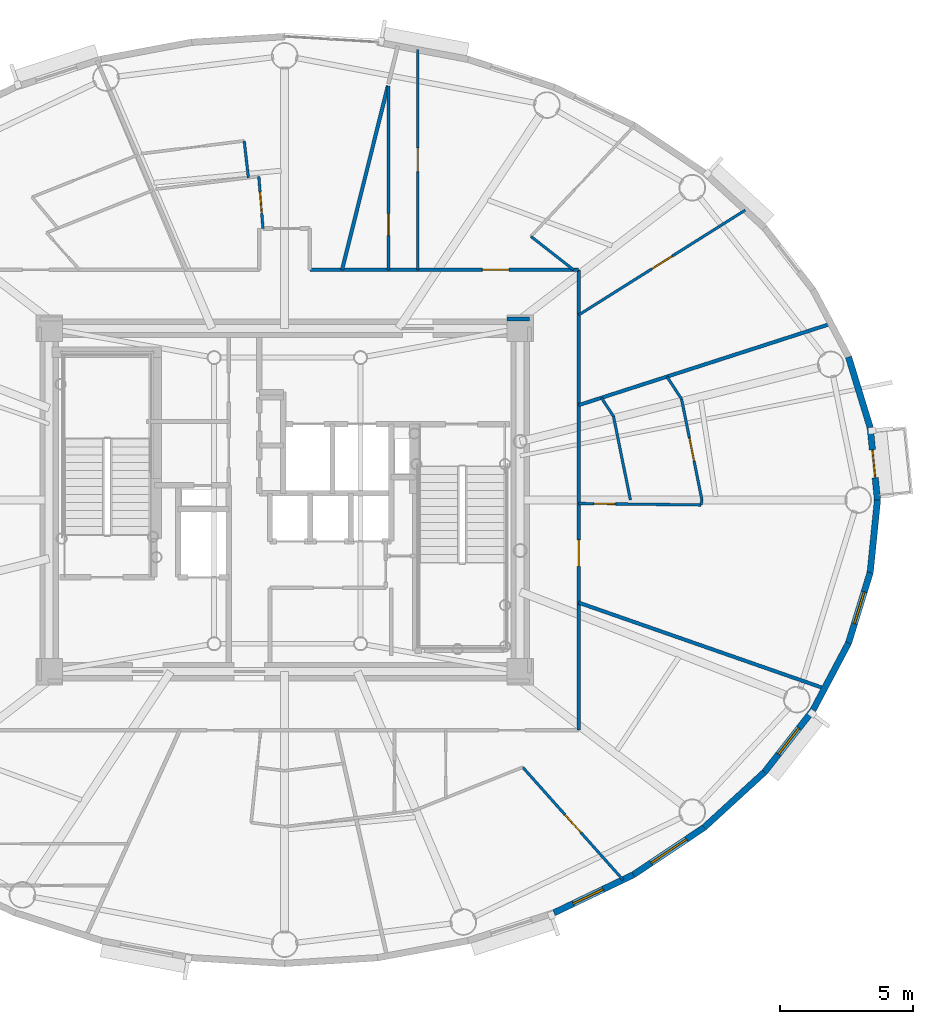
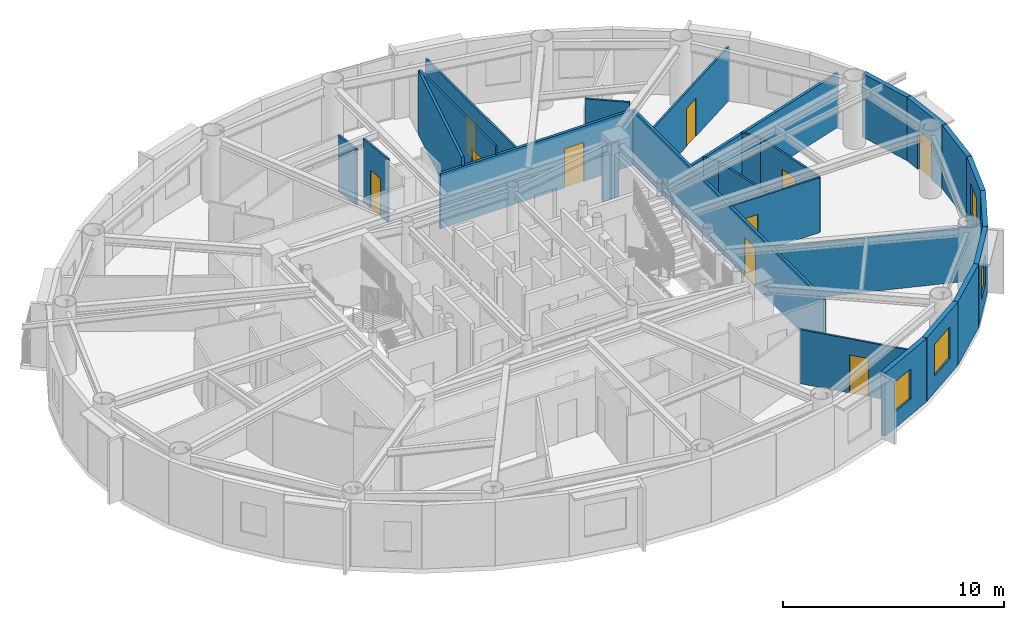
# One storey, part 9 of 17: 28 walls, 10 doors, 4 windows, 14 openings.
"""IFC4 building model written with IfcOpenShell, lengths in metres."""

from ifc_helpers import new_model, si_unit, direction, frame, frame_2d, origin, origin_2d, place, context, subcontext, project, spatial, rectangle, extrude, source, transform, mapped, material, layer, layer_set, type_object, element, fill, save


model = new_model("IFC4")

# Units and contexts
model_context = context("Model", 3, precision=1e-05, world=origin(), true_north=direction((0.0, 1.0)))
body_context = subcontext(model_context, "Body", "Model", "MODEL_VIEW")
ifc_project = project(units=[si_unit("LENGTHUNIT", "METRE"), si_unit("AREAUNIT", "SQUARE_METRE"), si_unit("VOLUMEUNIT", "CUBIC_METRE"), si_unit("PLANEANGLEUNIT", "RADIAN"), si_unit("MASSUNIT", "GRAM", prefix="KILO")], contexts=[model_context])

# Site, building, storey
site_placement = place(None, origin())
site = spatial("IfcSite", under=ifc_project, at=site_placement, CompositionType="ELEMENT")
building_placement = place(site_placement, origin())
building = spatial("IfcBuilding", under=site, at=building_placement, Name="Linh Dai School and Residence Tower", CompositionType="ELEMENT")
storey_placement = place(building_placement, frame((0.0, 0.0, 299.25)))
storey = spatial("IfcBuildingStorey", under=building, at=storey_placement, Name="L74", CompositionType="ELEMENT", Elevation=299.25)

# Wall, opening, door
ifc_material_1 = material(Name="Precast Concrete B45 (C35/45)", Category="concrete")
ifc_layer_1 = layer(ifc_material_1, 0.239990234375)
ifc_layer_set_1 = layer_set([ifc_layer_1], Name="Precast Concrete B45 (C35/45)")
wall_type_1 = type_object("IfcWallType", Name="EW-TC-240", PredefinedType="SOLIDWALL", material=ifc_layer_set_1)
wall_1_placement = place(storey_placement, frame((58.001708984375, 29.718994140625, 0.0), z_axis=(0.0, 0.0, 1.0), x_axis=(0.099972526841, -0.99499019788, 0.0)))
wall_1 = element("IfcWall", 1, at=wall_1_placement, inside=storey, type_object=wall_type_1, Name="L74 Terracotta Exterior Wall 01", PredefinedType="SOLIDWALL", context=body_context, shape_type="SweptSolid", body=[
    extrude(rectangle(XDim=2.732666015625, YDim=0.239990234375, at=frame_2d((1.3662109375, 0.0))), origin(), (0.0, 0.0, 1.0), 3.5),
])
opening_1_placement = place(wall_1_placement, frame((0.84130859375, 0.0, 0.0)))
opening_1 = element("IfcOpeningElement", 2, at=opening_1_placement, cuts=wall_1, Name="Opening BD1", PredefinedType="OPENING", context=body_context, shape_type="SweptSolid", body=[
    extrude(rectangle(XDim=1.050048828125, YDim=2.14990234375, at=origin_2d()), frame((0.52490234375, 0.1298828125, 1.074951171875), z_axis=(0.0, -1.0, 0.0), x_axis=(1.0, 0.0, 0.0)), (0.0, 0.0, 1.0), 0.260009765625),
])
ifc_material_2 = material(Name="Double-Glazed Balcony Door", Category="glass")
door_type_1 = type_object("IfcDoorType", Name="DR-BALC-1050x2150", OperationType="NOTDEFINED", PredefinedType="DOOR", material=ifc_material_2)
shared_shape_1 = source(origin(), body_context, "Body", "SweptSolid", [
    extrude(rectangle(XDim=1.050048828125, YDim=2.14990234375, at=origin_2d()), frame((0.52490234375, 0.02490234375, 1.074951171875), z_axis=(0.0, -1.0, 0.0), x_axis=(1.0, 0.0, 0.0)), (0.0, 0.0, 1.0), 0.050048828125),
])
door_1_placement = place(opening_1_placement, origin())
door_1 = element("IfcDoor", 3, at=door_1_placement, inside=storey, type_object=door_type_1, Name="L74 Glazed Balcony Door 01", OperationType="SINGLE_SWING_LEFT", OverallHeight=2.14990234375, OverallWidth=1.050048828125, PredefinedType="DOOR", context=body_context, shape_type="MappedRepresentation", body=[
    mapped(shared_shape_1, transform((0.0, 0.0, 0.0), x_axis=(1.0, 0.0, 0.0), y_axis=(0.0, 1.0, 0.0), z_axis=(0.0, 0.0, 1.0), scale=1.0)),
])
fill(opening_1, door_1)

# Wall
wall_2_placement = place(storey_placement, frame((57.188232421875, 32.372314453125, 0.0), z_axis=(0.0, 0.0, 1.0), x_axis=(0.2931213403, -0.956075248012, 0.0)))
element("IfcWall", 4, at=wall_2_placement, inside=storey, type_object=wall_type_1, Name="L74 Terracotta Exterior Wall 02", PredefinedType="SOLIDWALL", context=body_context, shape_type="SweptSolid", body=[
    extrude(rectangle(XDim=2.775146484375, YDim=0.239990234375, at=frame_2d((1.3876953125, 0.0))), origin(), (0.0, 0.0, 1.0), 3.5),
])

# Wall, opening, window
wall_3_placement = place(storey_placement, frame((49.1044921875, 12.91845703125, 0.0), z_axis=(0.0, 0.0, 1.0), x_axis=(-0.901573741254, -0.43262546051, 0.0)))
wall_3 = element("IfcWall", 5, at=wall_3_placement, inside=storey, type_object=wall_type_1, Name="L74 Terracotta Exterior Wall 34", PredefinedType="SOLIDWALL", context=body_context, shape_type="SweptSolid", body=[
    extrude(rectangle(XDim=3.306884765625, YDim=0.239990234375, at=frame_2d((1.6533203125, 0.0))), origin(), (0.0, 0.0, 1.0), 3.5),
])
opening_2_placement = place(wall_3_placement, frame((1.260009765625, 0.0, 0.89990234375)))
opening_2 = element("IfcOpeningElement", 6, at=opening_2_placement, cuts=wall_3, Name="Opening W3", PredefinedType="OPENING", context=body_context, shape_type="SweptSolid", body=[
    extrude(rectangle(XDim=1.25, YDim=1.64990234375, at=origin_2d()), frame((0.625, 0.1298828125, 0.824951171875), z_axis=(0.0, -1.0, 0.0), x_axis=(1.0, 0.0, 0.0)), (0.0, 0.0, 1.0), 0.260009765625),
])
ifc_material_3 = material(Name="Double Low-E Insulated Glazing", Category="glass")
window_type_1 = type_object("IfcWindowType", Name="WN-RES-1250x1650", PartitioningType="SINGLE_PANEL", PredefinedType="WINDOW", material=ifc_material_3)
shared_shape_2 = source(origin(), body_context, "Body", "SweptSolid", [
    extrude(rectangle(XDim=1.25, YDim=1.64990234375, at=origin_2d()), frame((0.625, 0.030029296875, 0.824951171875), z_axis=(0.0, -1.0, 0.0), x_axis=(1.0, 0.0, 0.0)), (0.0, 0.0, 1.0), 0.06005859375),
])
window_1_placement = place(opening_2_placement, origin())
window_1 = element("IfcWindow", 7, at=window_1_placement, inside=storey, type_object=window_type_1, Name="L74 Exterior Window 34.1", OverallHeight=1.64990234375, OverallWidth=1.25, PartitioningType="SINGLE_PANEL", PredefinedType="WINDOW", context=body_context, shape_type="MappedRepresentation", body=[
    mapped(shared_shape_2, transform((0.0, 0.0, 0.0), x_axis=(1.0, 0.0, 0.0), y_axis=(0.0, 1.0, 0.0), z_axis=(0.0, 0.0, 1.0), scale=1.0)),
])
fill(opening_2, window_1)

wall_4_placement = place(storey_placement, frame((51.76220703125, 14.69580078125, 0.0), z_axis=(0.0, 0.0, 1.0), x_axis=(-0.831250592635, -0.55589787933, 0.0)))
wall_4 = element("IfcWall", 8, at=wall_4_placement, inside=storey, type_object=wall_type_1, Name="L74 Terracotta Exterior Wall 35", PredefinedType="SOLIDWALL", context=body_context, shape_type="SweptSolid", body=[
    extrude(rectangle(XDim=3.197265625, YDim=0.239990234375, at=frame_2d((1.5986328125, 0.0))), origin(), (0.0, 0.0, 1.0), 3.5),
])
opening_3_placement = place(wall_4_placement, frame((0.798583984375, 0.0, 0.89990234375)))
opening_3 = element("IfcOpeningElement", 9, at=opening_3_placement, cuts=wall_4, Name="Opening W2", PredefinedType="OPENING", context=body_context, shape_type="SweptSolid", body=[
    extrude(rectangle(XDim=1.60009765625, YDim=1.75, at=origin_2d()), frame((0.800048828125, 0.1298828125, 0.875), z_axis=(0.0, -1.0, 0.0), x_axis=(1.0, 0.0, 0.0)), (0.0, 0.0, 1.0), 0.260009765625),
])
window_type_2 = type_object("IfcWindowType", Name="WN-RES-1600x1750", PartitioningType="DOUBLE_PANEL_VERTICAL", PredefinedType="WINDOW", material=ifc_material_3)
shared_shape_3 = source(origin(), body_context, "Body", "SweptSolid", [
    extrude(rectangle(XDim=1.60009765625, YDim=1.75, at=origin_2d()), frame((0.800048828125, 0.030029296875, 0.875), z_axis=(0.0, -1.0, 0.0), x_axis=(1.0, 0.0, 0.0)), (0.0, 0.0, 1.0), 0.06005859375),
])
window_2_placement = place(opening_3_placement, origin())
window_2 = element("IfcWindow", 10, at=window_2_placement, inside=storey, type_object=window_type_2, Name="L74 Exterior Window 35.1", OverallHeight=1.75, OverallWidth=1.60009765625, PartitioningType="DOUBLE_PANEL_VERTICAL", PredefinedType="WINDOW", context=body_context, shape_type="MappedRepresentation", body=[
    mapped(shared_shape_3, transform((0.0, 0.0, 0.0), x_axis=(1.0, 0.0, 0.0), y_axis=(0.0, 1.0, 0.0), z_axis=(0.0, 0.0, 1.0), scale=1.0)),
])
fill(opening_3, window_2)

# Wall
wall_5_placement = place(storey_placement, frame((54.0302734375, 16.775390625, 0.0), z_axis=(0.0, 0.0, 1.0), x_axis=(-0.737068506972, -0.675818034703, 0.0)))
element("IfcWall", 11, at=wall_5_placement, inside=storey, type_object=wall_type_1, Name="L74 Terracotta Exterior Wall 36", PredefinedType="SOLIDWALL", context=body_context, shape_type="SweptSolid", body=[
    extrude(rectangle(XDim=3.0771484375, YDim=0.239990234375, at=frame_2d((1.53857421875, 0.0))), origin(), (0.0, 0.0, 1.0), 3.5),
])

# Wall, opening, window
wall_6_placement = place(storey_placement, frame((55.853759765625, 19.105224609375, 0.0), z_axis=(0.0, 0.0, 1.0), x_axis=(-0.616337186556, -0.787482363275, 0.0)))
wall_6 = element("IfcWall", 12, at=wall_6_placement, inside=storey, type_object=wall_type_1, Name="L74 Terracotta Exterior Wall 37", PredefinedType="SOLIDWALL", context=body_context, shape_type="SweptSolid", body=[
    extrude(rectangle(XDim=2.95849609375, YDim=0.239990234375, at=frame_2d((1.479248046875, 0.0))), origin(), (0.0, 0.0, 1.0), 3.5),
])
opening_4_placement = place(wall_6_placement, frame((0.8544921875, 0.0, 0.89990234375)))
opening_4 = element("IfcOpeningElement", 13, at=opening_4_placement, cuts=wall_6, Name="Opening W3", PredefinedType="OPENING", context=body_context, shape_type="SweptSolid", body=[
    extrude(rectangle(XDim=1.25, YDim=1.64990234375, at=origin_2d()), frame((0.625, 0.1298828125, 0.824951171875), z_axis=(0.0, -1.0, 0.0), x_axis=(1.0, 0.0, 0.0)), (0.0, 0.0, 1.0), 0.260009765625),
])
window_3_placement = place(opening_4_placement, origin())
window_3 = element("IfcWindow", 14, at=window_3_placement, inside=storey, type_object=window_type_1, Name="L74 Exterior Window 37.1", OverallHeight=1.64990234375, OverallWidth=1.25, PartitioningType="SINGLE_PANEL", PredefinedType="WINDOW", context=body_context, shape_type="MappedRepresentation", body=[
    mapped(shared_shape_2, transform((0.0, 0.0, 0.0), x_axis=(1.0, 0.0, 0.0), y_axis=(0.0, 1.0, 0.0), z_axis=(0.0, 0.0, 1.0), scale=1.0)),
])
fill(opening_4, window_3)

# Wall
wall_7_placement = place(storey_placement, frame((57.188232421875, 21.627685546875, 0.0), z_axis=(0.0, 0.0, 1.0), x_axis=(-0.467628269026, -0.883925224218, 0.0)))
element("IfcWall", 15, at=wall_7_placement, inside=storey, type_object=wall_type_1, Name="L74 Terracotta Exterior Wall 38", PredefinedType="SOLIDWALL", context=body_context, shape_type="SweptSolid", body=[
    extrude(rectangle(XDim=2.853759765625, YDim=0.239990234375, at=frame_2d((1.4267578125, 0.0))), origin(), (0.0, 0.0, 1.0), 3.5),
])

# Wall, opening, window
wall_8_placement = place(storey_placement, frame((58.001708984375, 24.281005859375, 0.0), z_axis=(0.0, 0.0, 1.0), x_axis=(-0.2931213403, -0.956075248012, 0.0)))
wall_8 = element("IfcWall", 16, at=wall_8_placement, inside=storey, type_object=wall_type_1, Name="L74 Terracotta Exterior Wall 39", PredefinedType="SOLIDWALL", context=body_context, shape_type="SweptSolid", body=[
    extrude(rectangle(XDim=2.775146484375, YDim=0.239990234375, at=frame_2d((1.3876953125, 0.0))), origin(), (0.0, 0.0, 1.0), 3.5),
])
opening_5_placement = place(wall_8_placement, frame((0.7626953125, 0.0, 0.89990234375)))
opening_5 = element("IfcOpeningElement", 17, at=opening_5_placement, cuts=wall_8, Name="Opening W3", PredefinedType="OPENING", context=body_context, shape_type="SweptSolid", body=[
    extrude(rectangle(XDim=1.25, YDim=1.64990234375, at=origin_2d()), frame((0.625, 0.1298828125, 0.824951171875), z_axis=(0.0, -1.0, 0.0), x_axis=(1.0, 0.0, 0.0)), (0.0, 0.0, 1.0), 0.260009765625),
])
window_4_placement = place(opening_5_placement, origin())
window_4 = element("IfcWindow", 18, at=window_4_placement, inside=storey, type_object=window_type_1, Name="L74 Exterior Window 39.1", OverallHeight=1.64990234375, OverallWidth=1.25, PartitioningType="SINGLE_PANEL", PredefinedType="WINDOW", context=body_context, shape_type="MappedRepresentation", body=[
    mapped(shared_shape_2, transform((0.0, 0.0, 0.0), x_axis=(1.0, 0.0, 0.0), y_axis=(0.0, 1.0, 0.0), z_axis=(0.0, 0.0, 1.0), scale=1.0)),
])
fill(opening_5, window_4)

# Wall
wall_9_placement = place(storey_placement, frame((58.27490234375, 27.0, 0.0), z_axis=(0.0, 0.0, 1.0), x_axis=(-0.099972526841, -0.99499019788, 0.0)))
element("IfcWall", 19, at=wall_9_placement, inside=storey, type_object=wall_type_1, Name="L74 Terracotta Exterior Wall 40", PredefinedType="SOLIDWALL", context=body_context, shape_type="SweptSolid", body=[
    extrude(rectangle(XDim=2.732666015625, YDim=0.239990234375, at=frame_2d((1.3662109375, 0.0))), origin(), (0.0, 0.0, 1.0), 3.5),
])

# Wall, opening, door
ifc_material_4 = material(Name="Autoclaved Aerated Concrete Blockwork", Category="masonry")
ifc_layer_2 = layer(ifc_material_4, 0.135009765625)
ifc_layer_set_2 = layer_set([ifc_layer_2], Name="Autoclaved Aerated Concrete Blockwork")
wall_type_2 = type_object("IfcWallType", Name="IW-CORR-135-EI90", PredefinedType="PARTITIONING", material=ifc_layer_set_2)
wall_10_placement = place(storey_placement, frame((36.949951171875, 35.64990234375, 0.0), z_axis=(0.0, 0.0, 1.0), x_axis=(1.0, 0.0, 0.0)))
wall_10 = element("IfcWall", 20, at=wall_10_placement, inside=storey, type_object=wall_type_2, Name="L74 Interior Partition Wall 059", PredefinedType="PARTITIONING", context=body_context, shape_type="SweptSolid", body=[
    extrude(rectangle(XDim=10.10009765625, YDim=0.135009765625, at=frame_2d((5.050048828125, 0.0))), origin(), (0.0, 0.0, 1.0), 3.034912109375),
])
opening_6_placement = place(wall_10_placement, frame((6.476806640625, 0.0, 0.0)))
opening_6 = element("IfcOpeningElement", 21, at=opening_6_placement, cuts=wall_10, Name="Opening D03", PredefinedType="OPENING", context=body_context, shape_type="SweptSolid", body=[
    extrude(rectangle(XDim=1.0, YDim=2.14990234375, at=origin_2d()), frame((0.5, 0.07763671875, 1.074951171875), z_axis=(0.0, -1.0, 0.0), x_axis=(1.0, 0.0, 0.0)), (0.0, 0.0, 1.0), 0.155029296875),
])
ifc_material_5 = material(Name="Fire-Rated Solid Timber Entrance Door", Category="wood")
door_type_2 = type_object("IfcDoorType", Name="DR-FLAT-1000x2150-FD60S", OperationType="NOTDEFINED", PredefinedType="DOOR", material=ifc_material_5)
shared_shape_4 = source(origin(), body_context, "Body", "SweptSolid", [
    extrude(rectangle(XDim=1.0, YDim=2.14990234375, at=origin_2d()), frame((0.5, 0.02490234375, 1.074951171875), z_axis=(0.0, -1.0, 0.0), x_axis=(1.0, 0.0, 0.0)), (0.0, 0.0, 1.0), 0.050048828125),
])
door_2_placement = place(opening_6_placement, origin())
door_2 = element("IfcDoor", 22, at=door_2_placement, inside=storey, type_object=door_type_2, Name="L74 U7408 Apartment Entrance Door", OperationType="SINGLE_SWING_LEFT", OverallHeight=2.14990234375, OverallWidth=1.0, PredefinedType="DOOR", context=body_context, shape_type="MappedRepresentation", body=[
    mapped(shared_shape_4, transform((0.0, 0.0, 0.0), x_axis=(1.0, 0.0, 0.0), y_axis=(0.0, 1.0, 0.0), z_axis=(0.0, 0.0, 1.0), scale=1.0)),
])
fill(opening_6, door_2)

# Wall
wall_11_placement = place(storey_placement, frame((38.15673828125, 35.64990234375, 0.0), z_axis=(0.0, 0.0, 1.0), x_axis=(0.241898679066, 0.970301514513, 0.0)))
element("IfcWall", 23, at=wall_11_placement, inside=storey, type_object=wall_type_2, Name="L74 Interior Partition Wall 063", PredefinedType="PARTITIONING", context=body_context, shape_type="SweptSolid", body=[
    extrude(rectangle(XDim=7.12548828125, YDim=0.135009765625, at=frame_2d((3.562744140625, 0.0))), origin(), (0.0, 0.0, 1.0), 3.5),
])

# Wall, opening, door
wall_12_placement = place(storey_placement, frame((47.050048828125, 18.35009765625, 0.0), z_axis=(0.0, 0.0, 1.0), x_axis=(0.0, 1.0, 0.0)))
wall_12 = element("IfcWall", 24, at=wall_12_placement, inside=storey, type_object=wall_type_2, Name="L74 Interior Partition Wall 080", PredefinedType="PARTITIONING", context=body_context, shape_type="SweptSolid", body=[
    extrude(rectangle(XDim=17.2998046875, YDim=0.135009765625, at=frame_2d((8.64990234375, 0.0))), origin(), (0.0, 0.0, 1.0), 3.034912109375),
])
opening_7_placement = place(wall_12_placement, frame((6.1552734375, 0.0, 0.0)))
opening_7 = element("IfcOpeningElement", 25, at=opening_7_placement, cuts=wall_12, Name="Opening D03", PredefinedType="OPENING", context=body_context, shape_type="SweptSolid", body=[
    extrude(rectangle(XDim=1.0, YDim=2.14990234375, at=origin_2d()), frame((0.5, 0.07763671875, 1.074951171875), z_axis=(0.0, -1.0, 0.0), x_axis=(1.0, 0.0, 0.0)), (0.0, 0.0, 1.0), 0.155029296875),
])
door_3_placement = place(opening_7_placement, origin())
door_3 = element("IfcDoor", 26, at=door_3_placement, inside=storey, type_object=door_type_2, Name="L74 U7407 Apartment Entrance Door", OperationType="SINGLE_SWING_RIGHT", OverallHeight=2.14990234375, OverallWidth=1.0, PredefinedType="DOOR", context=body_context, shape_type="MappedRepresentation", body=[
    mapped(shared_shape_4, transform((0.0, 0.0, 0.0), x_axis=(1.0, 0.0, 0.0), y_axis=(0.0, 1.0, 0.0), z_axis=(0.0, 0.0, 1.0), scale=1.0)),
])
fill(opening_7, door_3)

# Walls
wall_13_placement = place(storey_placement, frame((47.050048828125, 23.141845703125, 0.0), z_axis=(0.0, 0.0, 1.0), x_axis=(0.94410974345, -0.329631297547, 0.0)))
element("IfcWall", 27, at=wall_13_placement, inside=storey, type_object=wall_type_2, Name="L74 Interior Partition Wall 081", PredefinedType="PARTITIONING", context=body_context, shape_type="SweptSolid", body=[
    extrude(rectangle(XDim=9.785400390625, YDim=0.135009765625, at=frame_2d((4.892578125, 0.0))), origin(), (0.0, 0.0, 1.0), 2.985107421875),
])
wall_14_placement = place(storey_placement, frame((47.050048828125, 30.5654296875, 0.0), z_axis=(0.0, 0.0, 1.0), x_axis=(0.951682976888, 0.307082255269, 0.0)))
element("IfcWall", 28, at=wall_14_placement, inside=storey, type_object=wall_type_2, Name="L74 Interior Partition Wall 083", PredefinedType="PARTITIONING", context=body_context, shape_type="SweptSolid", body=[
    extrude(rectangle(XDim=9.962646484375, YDim=0.135009765625, at=frame_2d((4.9814453125, 0.0))), origin(), (0.0, 0.0, 1.0), 2.985107421875),
])
wall_15_placement = place(storey_placement, frame((45.199951171875, 33.800048828125, 0.0), z_axis=(0.0, 0.0, 1.0), x_axis=(-1.0, 0.0, 0.0)))
element("IfcWall", 29, at=wall_15_placement, inside=storey, type_object=wall_type_2, Name="L74 Interior Partition Wall 092", PredefinedType="PARTITIONING", context=body_context, shape_type="SweptSolid", body=[
    extrude(rectangle(XDim=0.83984375, YDim=0.135009765625, at=frame_2d((0.419921875, 0.0))), origin(), (0.0, 0.0, 1.0), 3.034912109375),
])
ifc_material_6 = material(Name="Gypsum Plasterboard Acoustic Stud Partition", Category="masonry")
ifc_layer_3 = layer(ifc_material_6, 0.10009765625)
ifc_layer_set_3 = layer_set([ifc_layer_3], Name="Gypsum Plasterboard Acoustic Stud Partition")
wall_type_3 = type_object("IfcWallType", Name="IW-UNIT-100", PredefinedType="PARTITIONING", material=ifc_layer_set_3)
wall_16_placement = place(storey_placement, frame((34.4814453125, 40.492919921875, 0.0), z_axis=(0.0, 0.0, 1.0), x_axis=(0.111835884353, -0.993726690278, 0.0)))
element("IfcWall", 30, at=wall_16_placement, inside=storey, type_object=wall_type_3, Name="L74 Interior Partition Wall 037", PredefinedType="PARTITIONING", context=body_context, shape_type="SweptSolid", body=[
    extrude(rectangle(XDim=1.392822265625, YDim=0.10009765625, at=frame_2d((0.6962890625, 0.0))), origin(), (0.0, 0.0, 1.0), 3.0849609375),
])

# Wall, opening, door
wall_17_placement = place(storey_placement, frame((35.029296875, 39.15771484375, 0.0), z_axis=(0.0, 0.0, 1.0), x_axis=(0.079557473452, -0.996830280649, 0.0)))
wall_17 = element("IfcWall", 31, at=wall_17_placement, inside=storey, type_object=wall_type_3, Name="L74 Interior Partition Wall 041", PredefinedType="PARTITIONING", context=body_context, shape_type="SweptSolid", body=[
    extrude(rectangle(XDim=1.9638671875, YDim=0.10009765625, at=frame_2d((0.98193359375, 0.0))), origin(), (0.0, 0.0, 1.0), 3.5),
])
opening_8_placement = place(wall_17_placement, frame((0.572021484375, 0.0, 0.0)))
opening_8 = element("IfcOpeningElement", 32, at=opening_8_placement, cuts=wall_17, Name="Opening D06", PredefinedType="OPENING", context=body_context, shape_type="SweptSolid", body=[
    extrude(rectangle(XDim=0.820068359375, YDim=2.10009765625, at=origin_2d()), frame((0.41015625, 0.06005859375, 1.050048828125), z_axis=(0.0, -1.0, 0.0), x_axis=(1.0, 0.0, 0.0)), (0.0, 0.0, 1.0), 0.1201171875),
])
ifc_material_7 = material(Name="Moisture-Resistant Timber Bathroom Door", Category="wood")
door_type_3 = type_object("IfcDoorType", Name="DR-WET-820x2100", OperationType="NOTDEFINED", PredefinedType="DOOR", material=ifc_material_7)
shared_shape_5 = source(origin(), body_context, "Body", "SweptSolid", [
    extrude(rectangle(XDim=0.820068359375, YDim=2.10009765625, at=origin_2d()), frame((0.41015625, 0.02490234375, 1.050048828125), z_axis=(0.0, -1.0, 0.0), x_axis=(1.0, 0.0, 0.0)), (0.0, 0.0, 1.0), 0.050048828125),
])
door_4_placement = place(opening_8_placement, origin())
door_4 = element("IfcDoor", 33, at=door_4_placement, inside=storey, type_object=door_type_3, Name="L74 Apartment U7401 Bathroom Door", OperationType="SINGLE_SWING_LEFT", OverallHeight=2.10009765625, OverallWidth=0.820068359375, PredefinedType="DOOR", context=body_context, shape_type="MappedRepresentation", body=[
    mapped(shared_shape_5, transform((0.0, 0.0, 0.0), x_axis=(1.0, 0.0, 0.0), y_axis=(0.0, 1.0, 0.0), z_axis=(0.0, 0.0, 1.0), scale=1.0)),
])
fill(opening_8, door_4)

wall_18_placement = place(storey_placement, frame((39.89990234375, 35.64990234375, 0.0), z_axis=(0.0, 0.0, 1.0), x_axis=(0.0, 1.0, 0.0)))
wall_18 = element("IfcWall", 34, at=wall_18_placement, inside=storey, type_object=wall_type_3, Name="L74 Interior Partition Wall 067", PredefinedType="PARTITIONING", context=body_context, shape_type="SweptSolid", body=[
    extrude(rectangle(XDim=6.911376953125, YDim=0.10009765625, at=frame_2d((3.45556640625, 0.0))), origin(), (0.0, 0.0, 1.0), 3.5),
])
opening_9_placement = place(wall_18_placement, frame((1.290283203125, 0.0, 0.0)))
opening_9 = element("IfcOpeningElement", 35, at=opening_9_placement, cuts=wall_18, Name="Opening D06", PredefinedType="OPENING", context=body_context, shape_type="SweptSolid", body=[
    extrude(rectangle(XDim=0.820068359375, YDim=2.10009765625, at=origin_2d()), frame((0.41015625, 0.06005859375, 1.050048828125), z_axis=(0.0, -1.0, 0.0), x_axis=(1.0, 0.0, 0.0)), (0.0, 0.0, 1.0), 0.1201171875),
])
door_5_placement = place(opening_9_placement, origin())
door_5 = element("IfcDoor", 36, at=door_5_placement, inside=storey, type_object=door_type_3, Name="L74 Apartment U7408 Bathroom 1 Door", OperationType="SINGLE_SWING_LEFT", OverallHeight=2.10009765625, OverallWidth=0.820068359375, PredefinedType="DOOR", context=body_context, shape_type="MappedRepresentation", body=[
    mapped(shared_shape_5, transform((0.0, 0.0, 0.0), x_axis=(1.0, 0.0, 0.0), y_axis=(0.0, 1.0, 0.0), z_axis=(0.0, 0.0, 1.0), scale=1.0)),
])
fill(opening_9, door_5)

wall_19_placement = place(storey_placement, frame((40.998291015625, 35.64990234375, 0.0), z_axis=(0.0, 0.0, 1.0), x_axis=(0.0, 1.0, 0.0)))
wall_19 = element("IfcWall", 37, at=wall_19_placement, inside=storey, type_object=wall_type_3, Name="L74 Interior Partition Wall 075", PredefinedType="PARTITIONING", context=body_context, shape_type="SweptSolid", body=[
    extrude(rectangle(XDim=8.271484375, YDim=0.10009765625, at=frame_2d((4.1357421875, 0.0))), origin(), (0.0, 0.0, 1.0), 2.985107421875),
])
opening_10_placement = place(wall_19_placement, frame((3.685791015625, 0.0, 0.0)))
opening_10 = element("IfcOpeningElement", 38, at=opening_10_placement, cuts=wall_19, Name="Opening D05", PredefinedType="OPENING", context=body_context, shape_type="SweptSolid", body=[
    extrude(rectangle(XDim=0.89990234375, YDim=2.10009765625, at=origin_2d()), frame((0.449951171875, 0.06005859375, 1.050048828125), z_axis=(0.0, -1.0, 0.0), x_axis=(1.0, 0.0, 0.0)), (0.0, 0.0, 1.0), 0.1201171875),
])
ifc_material_8 = material(Name="Engineered Timber Internal Door", Category="wood")
door_type_4 = type_object("IfcDoorType", Name="DR-INT-900x2100", OperationType="NOTDEFINED", PredefinedType="DOOR", material=ifc_material_8)
shared_shape_6 = source(origin(), body_context, "Body", "SweptSolid", [
    extrude(rectangle(XDim=0.89990234375, YDim=2.10009765625, at=origin_2d()), frame((0.449951171875, 0.02490234375, 1.050048828125), z_axis=(0.0, -1.0, 0.0), x_axis=(1.0, 0.0, 0.0)), (0.0, 0.0, 1.0), 0.050048828125),
])
door_6_placement = place(opening_10_placement, origin())
door_6 = element("IfcDoor", 39, at=door_6_placement, inside=storey, type_object=door_type_4, Name="L74 Apartment U7408 Kitchen Door", OperationType="SINGLE_SWING_LEFT", OverallHeight=2.10009765625, OverallWidth=0.89990234375, PredefinedType="DOOR", context=body_context, shape_type="MappedRepresentation", body=[
    mapped(shared_shape_6, transform((0.0, 0.0, 0.0), x_axis=(1.0, 0.0, 0.0), y_axis=(0.0, 1.0, 0.0), z_axis=(0.0, 0.0, 1.0), scale=1.0)),
])
fill(opening_10, door_6)

wall_20_placement = place(storey_placement, frame((44.945068359375, 16.95849609375, 0.0), z_axis=(0.0, 0.0, 1.0), x_axis=(0.665162818086, -0.746698349694, 0.0)))
wall_20 = element("IfcWall", 40, at=wall_20_placement, inside=storey, type_object=wall_type_3, Name="L74 Interior Partition Wall 077", PredefinedType="PARTITIONING", context=body_context, shape_type="SweptSolid", body=[
    extrude(rectangle(XDim=5.668212890625, YDim=0.10009765625, at=frame_2d((2.833984375, 0.0))), origin(), (0.0, 0.0, 1.0), 2.985107421875),
])
opening_11_placement = place(wall_20_placement, frame((2.384033203125, 0.0, 0.0)))
opening_11 = element("IfcOpeningElement", 41, at=opening_11_placement, cuts=wall_20, Name="Opening D05", PredefinedType="OPENING", context=body_context, shape_type="SweptSolid", body=[
    extrude(rectangle(XDim=0.89990234375, YDim=2.10009765625, at=origin_2d()), frame((0.449951171875, 0.06005859375, 1.050048828125), z_axis=(0.0, -1.0, 0.0), x_axis=(1.0, 0.0, 0.0)), (0.0, 0.0, 1.0), 0.1201171875),
])
door_7_placement = place(opening_11_placement, origin())
door_7 = element("IfcDoor", 42, at=door_7_placement, inside=storey, type_object=door_type_4, Name="L74 Apartment U7406 Principal Bedroom 1 Door", OperationType="SINGLE_SWING_LEFT", OverallHeight=2.10009765625, OverallWidth=0.89990234375, PredefinedType="DOOR", context=body_context, shape_type="MappedRepresentation", body=[
    mapped(shared_shape_6, transform((0.0, 0.0, 0.0), x_axis=(1.0, 0.0, 0.0), y_axis=(0.0, 1.0, 0.0), z_axis=(0.0, 0.0, 1.0), scale=1.0)),
])
fill(opening_11, door_7)

# Wall
wall_21_placement = place(storey_placement, frame((45.254150390625, 36.903564453125, 0.0), z_axis=(0.0, 0.0, 1.0), x_axis=(0.787350433025, -0.616505714179, 0.0)))
element("IfcWall", 43, at=wall_21_placement, inside=storey, type_object=wall_type_3, Name="L74 Interior Partition Wall 078", PredefinedType="PARTITIONING", context=body_context, shape_type="SweptSolid", body=[
    extrude(rectangle(XDim=2.033447265625, YDim=0.10009765625, at=frame_2d((1.0166015625, 0.0))), origin(), (0.0, 0.0, 1.0), 3.5),
])

# Wall, opening, door
wall_22_placement = place(storey_placement, frame((47.050048828125, 26.86865234375, 0.0), z_axis=(0.0, 0.0, 1.0), x_axis=(0.999929100649, -0.011907714968, 0.0)))
wall_22 = element("IfcWall", 44, at=wall_22_placement, inside=storey, type_object=wall_type_3, Name="L74 Interior Partition Wall 082", PredefinedType="PARTITIONING", context=body_context, shape_type="SweptSolid", body=[
    extrude(rectangle(XDim=4.592529296875, YDim=0.10009765625, at=frame_2d((2.29638671875, 0.0))), origin(), (0.0, 0.0, 1.0), 3.034912109375),
])
opening_12_placement = place(wall_22_placement, frame((0.5654296875, 0.0, 0.0)))
opening_12 = element("IfcOpeningElement", 45, at=opening_12_placement, cuts=wall_22, Name="Opening D06", PredefinedType="OPENING", context=body_context, shape_type="SweptSolid", body=[
    extrude(rectangle(XDim=0.820068359375, YDim=2.10009765625, at=origin_2d()), frame((0.41015625, 0.06005859375, 1.050048828125), z_axis=(0.0, -1.0, 0.0), x_axis=(1.0, 0.0, 0.0)), (0.0, 0.0, 1.0), 0.1201171875),
])
door_8_placement = place(opening_12_placement, origin())
door_8 = element("IfcDoor", 46, at=door_8_placement, inside=storey, type_object=door_type_3, Name="L74 Apartment U7407 Bathroom Door", OperationType="SINGLE_SWING_LEFT", OverallHeight=2.10009765625, OverallWidth=0.820068359375, PredefinedType="DOOR", context=body_context, shape_type="MappedRepresentation", body=[
    mapped(shared_shape_5, transform((0.0, 0.0, 0.0), x_axis=(1.0, 0.0, 0.0), y_axis=(0.0, 1.0, 0.0), z_axis=(0.0, 0.0, 1.0), scale=1.0)),
])
fill(opening_12, door_8)

wall_23_placement = place(storey_placement, frame((47.050048828125, 33.9541015625, 0.0), z_axis=(0.0, 0.0, 1.0), x_axis=(0.846339777122, 0.532643390704, 0.0)))
wall_23 = element("IfcWall", 47, at=wall_23_placement, inside=storey, type_object=wall_type_3, Name="L74 Interior Partition Wall 084", PredefinedType="PARTITIONING", context=body_context, shape_type="SweptSolid", body=[
    extrude(rectangle(XDim=7.39501953125, YDim=0.10009765625, at=frame_2d((3.697509765625, 0.0))), origin(), (0.0, 0.0, 1.0), 2.985107421875),
])
opening_13_placement = place(wall_23_placement, frame((3.24755859375, 0.0, 0.0)))
opening_13 = element("IfcOpeningElement", 48, at=opening_13_placement, cuts=wall_23, Name="Opening D05", PredefinedType="OPENING", context=body_context, shape_type="SweptSolid", body=[
    extrude(rectangle(XDim=0.89990234375, YDim=2.10009765625, at=origin_2d()), frame((0.449951171875, 0.06005859375, 1.050048828125), z_axis=(0.0, -1.0, 0.0), x_axis=(1.0, 0.0, 0.0)), (0.0, 0.0, 1.0), 0.1201171875),
])
door_9_placement = place(opening_13_placement, origin())
door_9 = element("IfcDoor", 49, at=door_9_placement, inside=storey, type_object=door_type_4, Name="L74 Apartment U7408 Principal Bedroom 1 Door", OperationType="SINGLE_SWING_RIGHT", OverallHeight=2.10009765625, OverallWidth=0.89990234375, PredefinedType="DOOR", context=body_context, shape_type="MappedRepresentation", body=[
    mapped(shared_shape_6, transform((0.0, 0.0, 0.0), x_axis=(1.0, 0.0, 0.0), y_axis=(0.0, 1.0, 0.0), z_axis=(0.0, 0.0, 1.0), scale=1.0)),
])
fill(opening_13, door_9)

# Walls
wall_24_placement = place(storey_placement, frame((47.902587890625, 30.840576171875, 0.0), z_axis=(0.0, 0.0, 1.0), x_axis=(0.545586849168, -0.838054288227, 0.0)))
element("IfcWall", 50, at=wall_24_placement, inside=storey, type_object=wall_type_3, Name="L74 Interior Partition Wall 085", PredefinedType="PARTITIONING", context=body_context, shape_type="SweptSolid", body=[
    extrude(rectangle(XDim=0.83154296875, YDim=0.10009765625, at=frame_2d((0.415771484375, 0.0))), origin(), (0.0, 0.0, 1.0), 3.034912109375),
])
wall_25_placement = place(storey_placement, frame((48.356201171875, 30.143798828125, 0.0), z_axis=(0.0, 0.0, 1.0), x_axis=(0.198208908342, -0.98015979751, 0.0)))
element("IfcWall", 51, at=wall_25_placement, inside=storey, type_object=wall_type_3, Name="L74 Interior Partition Wall 086", PredefinedType="PARTITIONING", context=body_context, shape_type="SweptSolid", body=[
    extrude(rectangle(XDim=3.20751953125, YDim=0.10009765625, at=frame_2d((1.603759765625, 0.0))), origin(), (0.0, 0.0, 1.0), 3.034912109375),
])
wall_26_placement = place(storey_placement, frame((50.365234375, 31.63525390625, 0.0), z_axis=(0.0, 0.0, 1.0), x_axis=(0.545458599095, -0.83813776712, 0.0)))
element("IfcWall", 52, at=wall_26_placement, inside=storey, type_object=wall_type_3, Name="L74 Interior Partition Wall 087", PredefinedType="PARTITIONING", context=body_context, shape_type="SweptSolid", body=[
    extrude(rectangle(XDim=1.00341796875, YDim=0.10009765625, at=frame_2d((0.501708984375, 0.0))), origin(), (0.0, 0.0, 1.0), 3.034912109375),
])

# Wall, opening, door
wall_27_placement = place(storey_placement, frame((50.91259765625, 30.794189453125, 0.0), z_axis=(0.0, 0.0, 1.0), x_axis=(0.198226068862, -0.980156327135, 0.0)))
wall_27 = element("IfcWall", 53, at=wall_27_placement, inside=storey, type_object=wall_type_3, Name="L74 Interior Partition Wall 088", PredefinedType="PARTITIONING", context=body_context, shape_type="SweptSolid", body=[
    extrude(rectangle(XDim=3.87109375, YDim=0.10009765625, at=frame_2d((1.935546875, 0.0))), origin(), (0.0, 0.0, 1.0), 3.034912109375),
])
opening_14_placement = place(wall_27_placement, frame((1.485595703125, 0.0, 0.0)))
opening_14 = element("IfcOpeningElement", 54, at=opening_14_placement, cuts=wall_27, Name="Opening D05", PredefinedType="OPENING", context=body_context, shape_type="SweptSolid", body=[
    extrude(rectangle(XDim=0.89990234375, YDim=2.10009765625, at=origin_2d()), frame((0.449951171875, 0.06005859375, 1.050048828125), z_axis=(0.0, -1.0, 0.0), x_axis=(1.0, 0.0, 0.0)), (0.0, 0.0, 1.0), 0.1201171875),
])
door_10_placement = place(opening_14_placement, origin())
door_10 = element("IfcDoor", 55, at=door_10_placement, inside=storey, type_object=door_type_4, Name="L74 Apartment U7407 Kitchen Door", OperationType="SINGLE_SWING_RIGHT", OverallHeight=2.10009765625, OverallWidth=0.89990234375, PredefinedType="DOOR", context=body_context, shape_type="MappedRepresentation", body=[
    mapped(shared_shape_6, transform((0.0, 0.0, 0.0), x_axis=(1.0, 0.0, 0.0), y_axis=(0.0, 1.0, 0.0), z_axis=(0.0, 0.0, 1.0), scale=1.0)),
])
fill(opening_14, door_10)

# Wall
wall_28_placement = place(storey_placement, frame((51.642333984375, 26.81396484375, 0.0), z_axis=(0.0, 0.0, 1.0), x_axis=(0.198094703821, 0.980182885138, 0.0)))
element("IfcWall", 56, at=wall_28_placement, inside=storey, type_object=wall_type_3, Name="L74 Interior Partition Wall 089", PredefinedType="PARTITIONING", context=body_context, shape_type="SweptSolid", body=[
    extrude(rectangle(XDim=0.189697265625, YDim=0.10009765625, at=frame_2d((0.0947265625, 0.0))), origin(), (0.0, 0.0, 1.0), 3.034912109375),
])

save(model, "model.ifc")
